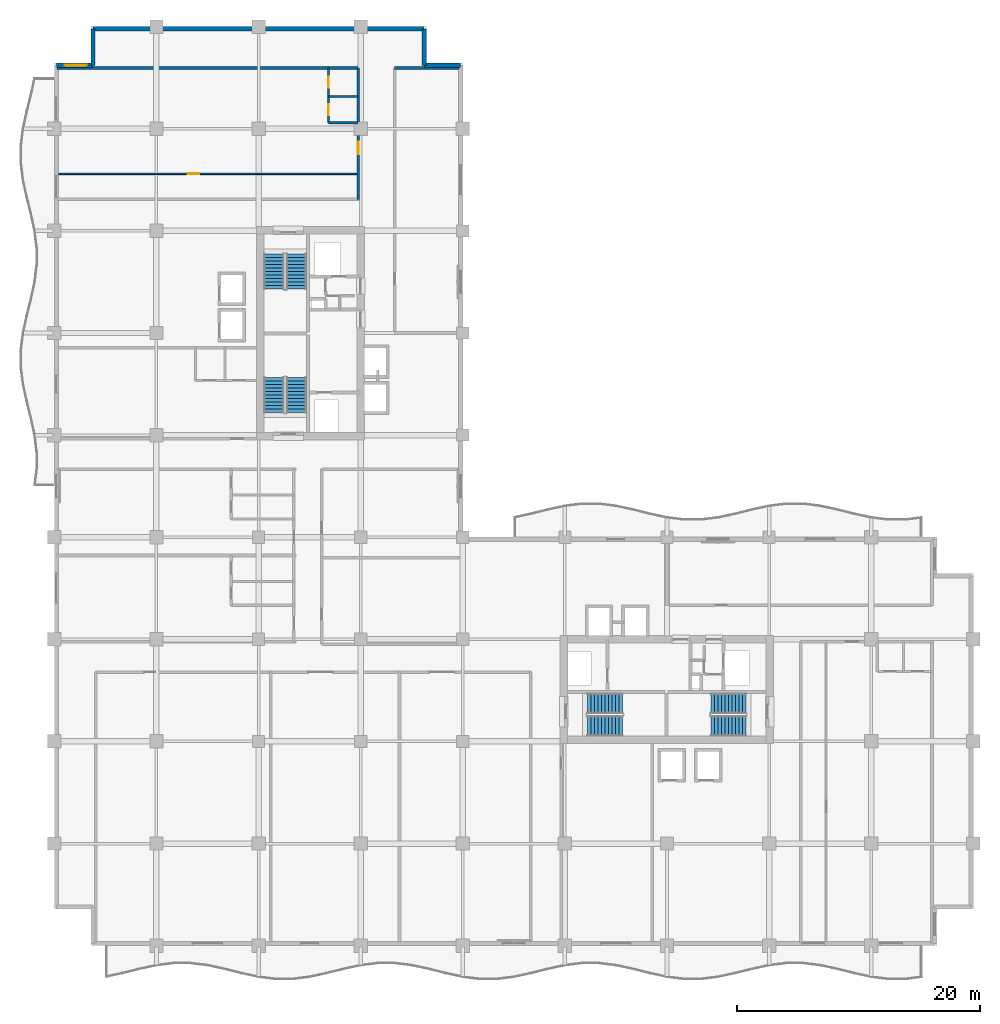
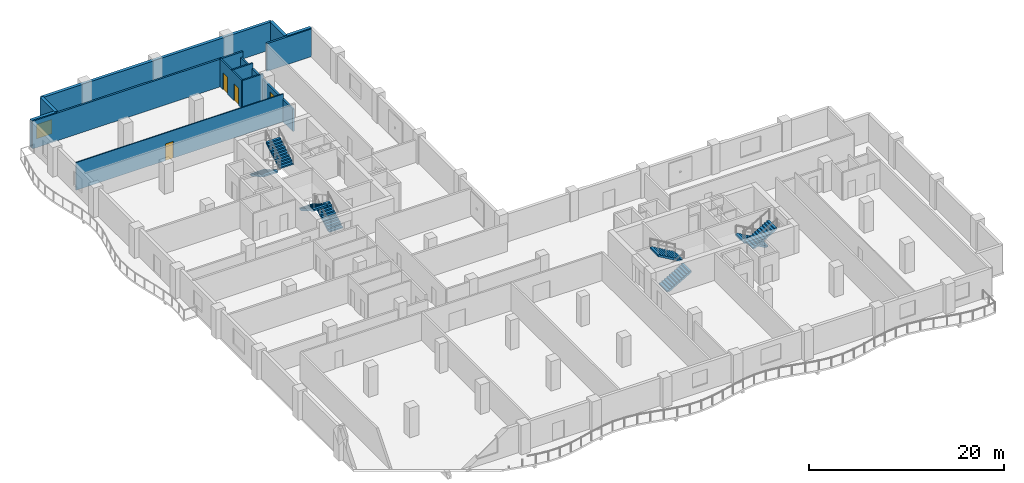
# One storey, part 9 of 15: 12 walls, 8 stair flights, 4 doors, 1 window, 5 openings, 4 elements without a shape of their own.
"""IFC4 building model written with IfcOpenShell, lengths in metres."""

from ifc_helpers import new_model, si_unit, direction, frame, frame_2d, origin, place, context, subcontext, project, spatial, polyline, rectangle, outline, extrude, material, layer, layer_set, type_object, element, fill, aggregate, save


model = new_model("IFC4")

# Units and contexts
model_context = context("Model", 3, precision=1e-05, world=origin(), true_north=direction((0.0, 1.0)))
body_context = subcontext(model_context, "Body", "Model", "MODEL_VIEW")
ifc_project = project(units=[si_unit("LENGTHUNIT", "METRE"), si_unit("AREAUNIT", "SQUARE_METRE"), si_unit("VOLUMEUNIT", "CUBIC_METRE"), si_unit("PLANEANGLEUNIT", "RADIAN"), si_unit("MASSUNIT", "GRAM", prefix="KILO")], contexts=[model_context])

# Site, building, storey
site_placement = place(None, origin())
site = spatial("IfcSite", under=ifc_project, at=site_placement, CompositionType="ELEMENT")
building_placement = place(site_placement, origin())
building = spatial("IfcBuilding", under=site, at=building_placement, Name="Koriwani Terraces Tower", CompositionType="ELEMENT")
storey_placement = place(building_placement, frame((0.0, 0.0, 216.10009765625)))
storey = spatial("IfcBuildingStorey", under=building, at=storey_placement, Name="L53", CompositionType="ELEMENT", Elevation=216.10009765625)

# Wall, opening, door
ifc_material_1 = material(Name="Autoclaved Cellular Concrete Blockwork", Category="masonry")
ifc_layer_1 = layer(ifc_material_1, 0.199951171875, Name="Autoclaved Cellular Concrete Blockwork")
ifc_layer_set_1 = layer_set([ifc_layer_1], Name="Autoclaved Cellular Concrete Blockwork")
wall_type_1 = type_object("IfcWallType", Name="WALL_CORRIDOR_200", PredefinedType="PARTITIONING", material=ifc_layer_set_1)
wall_1_placement = place(storey_placement, frame((25.0, 61.39990234375, 0.0), z_axis=(0.0, 0.0, 1.0), x_axis=(0.0, 1.0, 0.0)))
wall_1 = element("IfcWall", 1, at=wall_1_placement, inside=storey, type_object=wall_type_1, Name="L53 Interior Wall WRCOR-L53-NE-0", PredefinedType="PARTITIONING", context=body_context, shape_type="SweptSolid", body=[
    extrude(rectangle(XDim=10.800048828125, YDim=0.199951171875, at=frame_2d((5.39990234375, 0.0))), origin(), (0.0, 0.0, 1.0), 2.81982421875),
])
opening_1_placement = place(wall_1_placement, frame((3.719970703125, 0.0, 0.0)))
opening_1 = element("IfcOpeningElement", 2, at=opening_1_placement, cuts=wall_1, Name="Opening D-05", PredefinedType="OPENING", context=body_context, shape_type="SweptSolid", body=[
    extrude(rectangle(XDim=1.0, YDim=2.14990234375, at=frame_2d((0.5, 1.074951171875))), frame((0.0, 0.10986328125, 0.0), z_axis=(0.0, -1.0, 0.0), x_axis=(1.0, 0.0, 0.0)), (0.0, 0.0, 1.0), 0.219970703125),
])
ifc_material_2 = material(Name="Architectural Oak Fire Door", Category="wood")
door_type_1 = type_object("IfcDoorType", Name="DOOR_SUITE_ENTRY_1000X2150", OperationType="NOTDEFINED", PredefinedType="DOOR", material=ifc_material_2)
door_1_placement = place(opening_1_placement, origin())
door_1 = element("IfcDoor", 3, at=door_1_placement, inside=storey, type_object=door_type_1, Name="Apartment 53NE1 Entrance Door", OperationType="SINGLE_SWING_RIGHT", OverallHeight=2.14990234375, OverallWidth=1.0, PredefinedType="DOOR", context=body_context, shape_type="SweptSolid", body=[
    extrude(rectangle(XDim=1.0, YDim=2.14990234375, at=frame_2d((0.5, 1.074951171875))), frame((0.0, 0.02490234375, 0.0), z_axis=(0.0, -1.0, 0.0), x_axis=(1.0, 0.0, 0.0)), (0.0, 0.0, 1.0), 0.050048828125),
])
fill(opening_1, door_1)

# Walls
ifc_layer_2 = layer(ifc_material_1, 0.219970703125, Name="Autoclaved Cellular Concrete Blockwork")
ifc_layer_set_2 = layer_set([ifc_layer_2], Name="Autoclaved Cellular Concrete Blockwork")
wall_type_2 = type_object("IfcWallType", Name="WALL_DEMISING_220", PredefinedType="PARTITIONING", material=ifc_layer_set_2)
wall_2_placement = place(storey_placement, frame((0.199951171875, 72.199951171875, 0.0), z_axis=(0.0, 0.0, 1.0), x_axis=(1.0, 0.0, 0.0)))
element("IfcWall", 4, at=wall_2_placement, inside=storey, type_object=wall_type_2, Name="L53 Interior Wall WRDEME-L53-NE", PredefinedType="PARTITIONING", context=body_context, shape_type="SweptSolid", body=[
    extrude(rectangle(XDim=24.97998046875, YDim=0.219970703125, at=frame_2d((12.489990234375, 0.0))), origin(), (0.0, 0.0, 1.0), 3.469970703125),
])
wall_3_placement = place(storey_placement, frame((28.0, 72.199951171875, 0.0), z_axis=(0.0, 0.0, 1.0), x_axis=(1.0, 0.0, 0.0)))
element("IfcWall", 5, at=wall_3_placement, inside=storey, type_object=wall_type_2, Name="L53 Interior Wall WNEC-N-L53", PredefinedType="PARTITIONING", context=body_context, shape_type="SweptSolid", body=[
    extrude(rectangle(XDim=5.300048828125, YDim=0.219970703125, at=frame_2d((2.64990234375, 0.0))), origin(), (0.0, 0.0, 1.0), 3.469970703125),
])

# Wall, opening, window
ifc_material_3 = material(Name="Concrete C50/60", Category="concrete")
ifc_layer_3 = layer(ifc_material_3, 0.35009765625, Name="Concrete C50/60")
ifc_layer_set_3 = layer_set([ifc_layer_3], Name="Concrete C50/60")
wall_type_3 = type_object("IfcWallType", Name="WALL_EXT_BRUTALIST_350", PredefinedType="STANDARD", material=ifc_layer_set_3)
wall_4_placement = place(storey_placement, frame((0.175048828125, 72.425048828125, 0.0), z_axis=(0.0, 0.0, 1.0), x_axis=(1.0, 0.0, 0.0)))
wall_4 = element("IfcWall", 6, at=wall_4_placement, inside=storey, type_object=wall_type_3, Name="L53 Fair-Faced Brutalist Exterior Wall (N3)", PredefinedType="STANDARD", context=body_context, shape_type="SweptSolid", body=[
    extrude(rectangle(XDim=3.0, YDim=0.35009765625, at=frame_2d((1.5, 0.0))), origin(), (0.0, 0.0, 1.0), 3.469970703125),
])
opening_2_placement = place(wall_4_placement, frame((0.677490234375, 0.0, 0.85009765625)))
opening_2 = element("IfcOpeningElement", 7, at=opening_2_placement, cuts=wall_4, Name="Opening W-04", PredefinedType="OPENING", context=body_context, shape_type="SweptSolid", body=[
    extrude(rectangle(XDim=1.800048828125, YDim=1.800048828125, at=frame_2d((0.89990234375, 0.89990234375))), frame((0.0, 0.18505859375, 0.0), z_axis=(0.0, -1.0, 0.0), x_axis=(1.0, 0.0, 0.0)), (0.0, 0.0, 1.0), 0.3701171875),
])
ifc_material_4 = material(Name="Tempered Laminated Low-E Glass", Category="glass")
window_type = type_object("IfcWindowType", Name="WIN_RES_BED_1800X1800", PartitioningType="DOUBLE_PANEL_VERTICAL", PredefinedType="WINDOW", material=ifc_material_4)
window_placement = place(opening_2_placement, origin())
window = element("IfcWindow", 8, at=window_placement, inside=storey, type_object=window_type, Name="L53 Exterior Window (N3-R44)", OverallHeight=1.800048828125, OverallWidth=1.800048828125, PartitioningType="SINGLE_PANEL", PredefinedType="WINDOW", context=body_context, shape_type="SweptSolid", body=[
    extrude(rectangle(XDim=1.800048828125, YDim=1.800048828125, at=frame_2d((0.89990234375, 0.89990234375))), frame((0.0, 0.030029296875, 0.0), z_axis=(0.0, -1.0, 0.0), x_axis=(1.0, 0.0, 0.0)), (0.0, 0.0, 1.0), 0.06005859375),
])
fill(opening_2, window)

# Walls
wall_5_placement = place(storey_placement, frame((3.175048828125, 72.425048828125, 0.0), z_axis=(0.0, 0.0, 1.0), x_axis=(0.0, 1.0, 0.0)))
element("IfcWall", 9, at=wall_5_placement, inside=storey, type_object=wall_type_3, Name="L53 Fair-Faced Brutalist Exterior Wall (N4)", PredefinedType="STANDARD", context=body_context, shape_type="SweptSolid", body=[
    extrude(rectangle(XDim=3.0, YDim=0.35009765625, at=frame_2d((1.5, 0.0))), origin(), (0.0, 0.0, 1.0), 3.469970703125),
])
wall_6_placement = place(storey_placement, frame((3.175048828125, 75.425048828125, 0.0), z_axis=(0.0, 0.0, 1.0), x_axis=(1.0, 0.0, 0.0)))
element("IfcWall", 10, at=wall_6_placement, inside=storey, type_object=wall_type_3, Name="L53 Fair-Faced Brutalist Exterior Wall (N_TIP)", PredefinedType="STANDARD", context=body_context, shape_type="SweptSolid", body=[
    extrude(rectangle(XDim=27.25, YDim=0.35009765625, at=frame_2d((13.625, 0.0))), origin(), (0.0, 0.0, 1.0), 3.469970703125),
])
for number, where, z_axis, x_axis, name in (
    (11, (30.425048828125, 75.425048828125, 0.0), (0.0, 0.0, 1.0), (0.0, -1.0, 0.0), "L53 Fair-Faced Brutalist Exterior Wall (N6)"),
    (12, (30.425048828125, 72.425048828125, 0.0), (0.0, 0.0, 1.0), (1.0, 0.0, 0.0), "L53 Fair-Faced Brutalist Exterior Wall (N7)"),
):
    element("IfcWall", number, at=place(storey_placement, frame(where, z_axis=z_axis, x_axis=x_axis)), inside=storey, type_object=wall_type_3, Name=name, PredefinedType="STANDARD", context=body_context, shape_type="SweptSolid", body=[
        extrude(rectangle(XDim=3.0, YDim=0.35009765625, at=frame_2d((1.5, 0.0))), origin(), (0.0, 0.0, 1.0), 3.469970703125),
    ])

# Wall, opening, door
ifc_material_5 = material(Name="Fire-Rated Acoustic Gypsum Partition", Category="masonry")
ifc_layer_4 = layer(ifc_material_5, 0.125, Name="Fire-Rated Acoustic Gypsum Partition")
ifc_layer_set_4 = layer_set([ifc_layer_4], Name="Fire-Rated Acoustic Gypsum Partition")
wall_type_4 = type_object("IfcWallType", Name="WALL_INT_125", PredefinedType="PARTITIONING", material=ifc_layer_set_4)
wall_7_placement = place(storey_placement, frame((0.35009765625, 63.5, 0.0), z_axis=(0.0, 0.0, 1.0), x_axis=(1.0, 0.0, 0.0)))
wall_7 = element("IfcWall", 13, at=wall_7_placement, inside=storey, type_object=wall_type_4, Name="L53 Interior Wall WRBED1-L53-NE-0", PredefinedType="PARTITIONING", context=body_context, shape_type="SweptSolid", body=[
    extrude(rectangle(XDim=24.64990234375, YDim=0.125, at=frame_2d((12.324951171875, 0.0))), origin(), (0.0, 0.0, 1.0), 3.469970703125),
])
opening_3_placement = place(wall_7_placement, frame((10.639892578125, 0.0, 0.0)))
opening_3 = element("IfcOpeningElement", 14, at=opening_3_placement, cuts=wall_7, Name="Opening D-06", PredefinedType="OPENING", context=body_context, shape_type="SweptSolid", body=[
    extrude(rectangle(XDim=0.919921875, YDim=2.10009765625, at=frame_2d((0.4599609375, 1.050048828125))), frame((0.0, 0.072509765625, 0.0), z_axis=(0.0, -1.0, 0.0), x_axis=(1.0, 0.0, 0.0)), (0.0, 0.0, 1.0), 0.14501953125),
])
door_type_2 = type_object("IfcDoorType", Name="DOOR_ROOM_INT_920X2100", OperationType="NOTDEFINED", PredefinedType="DOOR", material=ifc_material_2)
door_2_placement = place(opening_3_placement, origin())
door_2 = element("IfcDoor", 15, at=door_2_placement, inside=storey, type_object=door_type_2, Name="Apartment 53NE1 Master Bedroom Door", OperationType="SINGLE_SWING_LEFT", OverallHeight=2.10009765625, OverallWidth=0.919921875, PredefinedType="DOOR", context=body_context, shape_type="SweptSolid", body=[
    extrude(rectangle(XDim=0.919921875, YDim=2.10009765625, at=frame_2d((0.4599609375, 1.050048828125))), frame((0.0, 0.02490234375, 0.0), z_axis=(0.0, -1.0, 0.0), x_axis=(1.0, 0.0, 0.0)), (0.0, 0.0, 1.0), 0.050048828125),
])
fill(opening_3, door_2)

# Wall, openings, doors
ifc_layer_5 = layer(ifc_material_5, 0.179931640625, Name="Fire-Rated Acoustic Gypsum Partition")
ifc_layer_set_5 = layer_set([ifc_layer_5], Name="Fire-Rated Acoustic Gypsum Partition")
wall_type_5 = type_object("IfcWallType", Name="WALL_PLUMBING_180", PredefinedType="PLUMBINGWALL", material=ifc_layer_set_5)
wall_8_placement = place(storey_placement, frame((22.550048828125, 67.699951171875, 0.0), z_axis=(0.0, 0.0, 1.0), x_axis=(0.0, 1.0, 0.0)))
wall_8 = element("IfcWall", 16, at=wall_8_placement, inside=storey, type_object=wall_type_5, Name="L53 Interior Wall WRSVC-L53-NE-0", PredefinedType="PLUMBINGWALL", context=body_context, shape_type="SweptSolid", body=[
    extrude(rectangle(XDim=4.5, YDim=0.179931640625, at=frame_2d((2.25, 0.0))), origin(), (0.0, 0.0, 1.0), 3.469970703125),
])
opening_4_placement = place(wall_8_placement, frame((0.6298828125, 0.0, 0.0)))
opening_4 = element("IfcOpeningElement", 17, at=opening_4_placement, cuts=wall_8, Name="Opening D-07", PredefinedType="OPENING", context=body_context, shape_type="SweptSolid", body=[
    extrude(rectangle(XDim=0.89990234375, YDim=2.10009765625, at=frame_2d((0.449951171875, 1.050048828125))), frame((0.0, 0.10009765625, 0.0), z_axis=(0.0, -1.0, 0.0), x_axis=(1.0, 0.0, 0.0)), (0.0, 0.0, 1.0), 0.199951171875),
])
opening_5_placement = place(wall_8_placement, frame((2.8701171875, 0.0, 0.0)))
opening_5 = element("IfcOpeningElement", 18, at=opening_5_placement, cuts=wall_8, Name="Opening D-06", PredefinedType="OPENING", context=body_context, shape_type="SweptSolid", body=[
    extrude(rectangle(XDim=0.919921875, YDim=2.10009765625, at=frame_2d((0.4599609375, 1.050048828125))), frame((0.0, 0.10009765625, 0.0), z_axis=(0.0, -1.0, 0.0), x_axis=(1.0, 0.0, 0.0)), (0.0, 0.0, 1.0), 0.199951171875),
])
door_type_3 = type_object("IfcDoorType", Name="DOOR_BATH_INT_900X2100", OperationType="NOTDEFINED", PredefinedType="DOOR", material=ifc_material_2)
door_3_placement = place(opening_4_placement, origin())
door_3 = element("IfcDoor", 19, at=door_3_placement, inside=storey, type_object=door_type_3, Name="Apartment 53NE1 Bathroom Door", OperationType="SINGLE_SWING_LEFT", OverallHeight=2.10009765625, OverallWidth=0.89990234375, PredefinedType="DOOR", context=body_context, shape_type="SweptSolid", body=[
    extrude(rectangle(XDim=0.89990234375, YDim=2.10009765625, at=frame_2d((0.449951171875, 1.050048828125))), frame((0.0, 0.02490234375, 0.0), z_axis=(0.0, -1.0, 0.0), x_axis=(1.0, 0.0, 0.0)), (0.0, 0.0, 1.0), 0.050048828125),
])
fill(opening_4, door_3)
door_4_placement = place(opening_5_placement, origin())
door_4 = element("IfcDoor", 20, at=door_4_placement, inside=storey, type_object=door_type_2, Name="Apartment 53NE1 Kitchen Door", OperationType="SINGLE_SWING_RIGHT", OverallHeight=2.10009765625, OverallWidth=0.919921875, PredefinedType="DOOR", context=body_context, shape_type="SweptSolid", body=[
    extrude(rectangle(XDim=0.919921875, YDim=2.10009765625, at=frame_2d((0.4599609375, 1.050048828125))), frame((0.0, 0.02490234375, 0.0), z_axis=(0.0, -1.0, 0.0), x_axis=(1.0, 0.0, 0.0)), (0.0, 0.0, 1.0), 0.050048828125),
])
fill(opening_5, door_4)

# Walls
for number, where, z_axis, x_axis, name in (
    (21, (22.550048828125, 67.699951171875, 0.0), (0.0, 0.0, 1.0), (1.0, 0.0, 0.0), "L53 Interior Wall WRSVCS-L53-NE-0"),
    (22, (22.550048828125, 69.860107421875, 0.0), (0.0, 0.0, 1.0), (1.0, 0.0, 0.0), "L53 Interior Wall WRSVCM-L53-NE-0"),
):
    element("IfcWall", number, at=place(storey_placement, frame(where, z_axis=z_axis, x_axis=x_axis)), inside=storey, type_object=wall_type_5, Name=name, PredefinedType="PLUMBINGWALL", context=body_context, shape_type="SweptSolid", body=[
        extrude(rectangle(XDim=2.449951171875, YDim=0.179931640625, at=frame_2d((1.22509765625, 0.0))), origin(), (0.0, 0.0, 1.0), 3.469970703125),
    ])

# Stair, stair flights
ifc_material_6 = material(Name="Concrete C40/50", Category="concrete")
stair_type = type_object("IfcStairType", Name="STAIR_CORE_DOGLEG_1650", PredefinedType="TWO_STRAIGHT_RUN_STAIR", material=ifc_material_6)
stair_1_placement = place(storey_placement, origin())
stair_1 = element("IfcStair", 23, at=stair_1_placement, inside=storey, type_object=stair_type, Name="L53 West Core Exit Stair 1", PredefinedType="HALF_TURN_STAIR")
stair_flight_type = type_object("IfcStairFlightType", Name="STAIR_FLIGHT_RC_1650", PredefinedType="STRAIGHT", material=ifc_material_6)
stair_flight_1_placement = place(storey_placement, frame((19.925048828125, 43.85009765625, 0.0), z_axis=(0.0, 0.0, 1.0), x_axis=(0.0, 1.0, 0.0)))
stair_flight_1 = element("IfcStairFlight", 24, at=stair_flight_1_placement, type_object=stair_flight_type, Name="ST-W1 flight 1", NumberOfRisers=11, NumberOfTreads=10, PredefinedType="STRAIGHT", RiserHeight=0.168181818, TreadLength=0.29, context=body_context, shape_type="SweptSolid", body=[
    extrude(outline(polyline([(0.0, 0.0), (0.0, 0.168212890625), (0.2900390625, 0.168212890625), (0.2900390625, 0.33642578125), (0.580078125, 0.33642578125), (0.580078125, 0.504638671875), (0.8701171875, 0.504638671875), (0.8701171875, 0.672607421875), (1.159912109375, 0.672607421875), (1.159912109375, 0.8408203125), (1.449951171875, 0.8408203125), (1.449951171875, 1.009033203125), (1.739990234375, 1.009033203125), (1.739990234375, 1.17724609375), (2.030029296875, 1.17724609375), (2.030029296875, 1.345458984375), (2.320068359375, 1.345458984375), (2.320068359375, 1.513671875), (2.610107421875, 1.513671875), (2.610107421875, 1.681884765625), (2.89990234375, 1.681884765625), (2.89990234375, 1.85009765625), (2.89990234375, 1.473876953125), (0.358642578125, 0.0), (0.0, 0.0)])), frame((0.0, 0.824951171875, 0.0), z_axis=(0.0, -1.0, 0.0), x_axis=(1.0, 0.0, 0.0)), (0.0, 0.0, 1.0), 1.64990234375),
])
stair_flight_2_placement = place(storey_placement, frame((18.074951171875, 46.75, 1.849853515625), z_axis=(0.0, 0.0, 1.0), x_axis=(0.0, -1.0, 0.0)))
stair_flight_2 = element("IfcStairFlight", 25, at=stair_flight_2_placement, type_object=stair_flight_type, Name="ST-W1 flight 2", NumberOfRisers=11, NumberOfTreads=10, PredefinedType="STRAIGHT", RiserHeight=0.168181818, TreadLength=0.29, context=body_context, shape_type="SweptSolid", body=[
    extrude(outline(polyline([(0.0, 0.0), (0.0, 0.168212890625), (0.2900390625, 0.168212890625), (0.2900390625, 0.33642578125), (0.580078125, 0.33642578125), (0.580078125, 0.504638671875), (0.8701171875, 0.504638671875), (0.8701171875, 0.672607421875), (1.159912109375, 0.672607421875), (1.159912109375, 0.8408203125), (1.449951171875, 0.8408203125), (1.449951171875, 1.009033203125), (1.739990234375, 1.009033203125), (1.739990234375, 1.17724609375), (2.030029296875, 1.17724609375), (2.030029296875, 1.345458984375), (2.320068359375, 1.345458984375), (2.320068359375, 1.513671875), (2.610107421875, 1.513671875), (2.610107421875, 1.681884765625), (2.89990234375, 1.681884765625), (2.89990234375, 1.85009765625), (2.89990234375, 1.473876953125), (0.358642578125, 0.0), (0.0, 0.0)])), frame((0.0, 0.824951171875, 0.0), z_axis=(0.0, -1.0, 0.0), x_axis=(1.0, 0.0, 0.0)), (0.0, 0.0, 1.0), 1.64990234375),
])
aggregate(stair_1, [stair_flight_1, stair_flight_2])

stair_2_placement = place(storey_placement, origin())
stair_2 = element("IfcStair", 26, at=stair_2_placement, inside=storey, type_object=stair_type, Name="L53 West Core Exit Stair 2", PredefinedType="HALF_TURN_STAIR")
stair_flight_3_placement = place(storey_placement, frame((18.074951171875, 56.89990234375, 0.0), z_axis=(0.0, 0.0, 1.0), x_axis=(0.0, -1.0, 0.0)))
stair_flight_3 = element("IfcStairFlight", 27, at=stair_flight_3_placement, type_object=stair_flight_type, Name="ST-W2 flight 1", NumberOfRisers=11, NumberOfTreads=10, PredefinedType="STRAIGHT", RiserHeight=0.168181818, TreadLength=0.29, context=body_context, shape_type="SweptSolid", body=[
    extrude(outline(polyline([(0.0, 0.0), (0.0, 0.168212890625), (0.2900390625, 0.168212890625), (0.2900390625, 0.33642578125), (0.580078125, 0.33642578125), (0.580078125, 0.504638671875), (0.8701171875, 0.504638671875), (0.8701171875, 0.672607421875), (1.159912109375, 0.672607421875), (1.159912109375, 0.8408203125), (1.449951171875, 0.8408203125), (1.449951171875, 1.009033203125), (1.739990234375, 1.009033203125), (1.739990234375, 1.17724609375), (2.030029296875, 1.17724609375), (2.030029296875, 1.345458984375), (2.320068359375, 1.345458984375), (2.320068359375, 1.513671875), (2.610107421875, 1.513671875), (2.610107421875, 1.681884765625), (2.89990234375, 1.681884765625), (2.89990234375, 1.85009765625), (2.89990234375, 1.473876953125), (0.358642578125, 0.0), (0.0, 0.0)])), frame((0.0, 0.824951171875, 0.0), z_axis=(0.0, -1.0, 0.0), x_axis=(1.0, 0.0, 0.0)), (0.0, 0.0, 1.0), 1.64990234375),
])
stair_flight_4_placement = place(storey_placement, frame((19.925048828125, 54.0, 1.849853515625), z_axis=(0.0, 0.0, 1.0), x_axis=(0.0, 1.0, 0.0)))
stair_flight_4 = element("IfcStairFlight", 28, at=stair_flight_4_placement, type_object=stair_flight_type, Name="ST-W2 flight 2", NumberOfRisers=11, NumberOfTreads=10, PredefinedType="STRAIGHT", RiserHeight=0.168181818, TreadLength=0.29, context=body_context, shape_type="SweptSolid", body=[
    extrude(outline(polyline([(0.0, 0.0), (0.0, 0.168212890625), (0.2900390625, 0.168212890625), (0.2900390625, 0.33642578125), (0.580078125, 0.33642578125), (0.580078125, 0.504638671875), (0.8701171875, 0.504638671875), (0.8701171875, 0.672607421875), (1.159912109375, 0.672607421875), (1.159912109375, 0.8408203125), (1.449951171875, 0.8408203125), (1.449951171875, 1.009033203125), (1.739990234375, 1.009033203125), (1.739990234375, 1.17724609375), (2.030029296875, 1.17724609375), (2.030029296875, 1.345458984375), (2.320068359375, 1.345458984375), (2.320068359375, 1.513671875), (2.610107421875, 1.513671875), (2.610107421875, 1.681884765625), (2.89990234375, 1.681884765625), (2.89990234375, 1.85009765625), (2.89990234375, 1.473876953125), (0.358642578125, 0.0), (0.0, 0.0)])), frame((0.0, 0.824951171875, 0.0), z_axis=(0.0, -1.0, 0.0), x_axis=(1.0, 0.0, 0.0)), (0.0, 0.0, 1.0), 1.64990234375),
])
aggregate(stair_2, [stair_flight_3, stair_flight_4])

stair_3_placement = place(storey_placement, origin())
stair_3 = element("IfcStair", 29, at=stair_3_placement, inside=storey, type_object=stair_type, Name="L53 East Core Exit Stair 1", PredefinedType="HALF_TURN_STAIR")
stair_flight_5_placement = place(storey_placement, frame((43.85009765625, 18.074951171875, 0.0), z_axis=(0.0, 0.0, 1.0), x_axis=(1.0, 0.0, 0.0)))
stair_flight_5 = element("IfcStairFlight", 30, at=stair_flight_5_placement, type_object=stair_flight_type, Name="ST-E1 flight 1", NumberOfRisers=11, NumberOfTreads=10, PredefinedType="STRAIGHT", RiserHeight=0.168181818, TreadLength=0.29, context=body_context, shape_type="SweptSolid", body=[
    extrude(outline(polyline([(0.0, 0.0), (0.0, 0.168212890625), (0.2900390625, 0.168212890625), (0.2900390625, 0.33642578125), (0.580078125, 0.33642578125), (0.580078125, 0.504638671875), (0.8701171875, 0.504638671875), (0.8701171875, 0.672607421875), (1.159912109375, 0.672607421875), (1.159912109375, 0.8408203125), (1.449951171875, 0.8408203125), (1.449951171875, 1.009033203125), (1.739990234375, 1.009033203125), (1.739990234375, 1.17724609375), (2.030029296875, 1.17724609375), (2.030029296875, 1.345458984375), (2.320068359375, 1.345458984375), (2.320068359375, 1.513671875), (2.610107421875, 1.513671875), (2.610107421875, 1.681884765625), (2.89990234375, 1.681884765625), (2.89990234375, 1.85009765625), (2.89990234375, 1.473876953125), (0.358642578125, 0.0), (0.0, 0.0)])), frame((0.0, 0.824951171875, 0.0), z_axis=(0.0, -1.0, 0.0), x_axis=(1.0, 0.0, 0.0)), (0.0, 0.0, 1.0), 1.64990234375),
])
stair_flight_6_placement = place(storey_placement, frame((46.75, 19.925048828125, 1.849853515625), z_axis=(0.0, 0.0, 1.0), x_axis=(-1.0, 0.0, 0.0)))
stair_flight_6 = element("IfcStairFlight", 31, at=stair_flight_6_placement, type_object=stair_flight_type, Name="ST-E1 flight 2", NumberOfRisers=11, NumberOfTreads=10, PredefinedType="STRAIGHT", RiserHeight=0.168181818, TreadLength=0.29, context=body_context, shape_type="SweptSolid", body=[
    extrude(outline(polyline([(0.0, 0.0), (0.0, 0.168212890625), (0.2900390625, 0.168212890625), (0.2900390625, 0.33642578125), (0.580078125, 0.33642578125), (0.580078125, 0.504638671875), (0.8701171875, 0.504638671875), (0.8701171875, 0.672607421875), (1.159912109375, 0.672607421875), (1.159912109375, 0.8408203125), (1.449951171875, 0.8408203125), (1.449951171875, 1.009033203125), (1.739990234375, 1.009033203125), (1.739990234375, 1.17724609375), (2.030029296875, 1.17724609375), (2.030029296875, 1.345458984375), (2.320068359375, 1.345458984375), (2.320068359375, 1.513671875), (2.610107421875, 1.513671875), (2.610107421875, 1.681884765625), (2.89990234375, 1.681884765625), (2.89990234375, 1.85009765625), (2.89990234375, 1.473876953125), (0.358642578125, 0.0), (0.0, 0.0)])), frame((0.0, 0.824951171875, 0.0), z_axis=(0.0, -1.0, 0.0), x_axis=(1.0, 0.0, 0.0)), (0.0, 0.0, 1.0), 1.64990234375),
])
aggregate(stair_3, [stair_flight_5, stair_flight_6])

stair_4_placement = place(storey_placement, origin())
stair_4 = element("IfcStair", 32, at=stair_4_placement, inside=storey, type_object=stair_type, Name="L53 East Core Exit Stair 2", PredefinedType="HALF_TURN_STAIR")
stair_flight_7_placement = place(storey_placement, frame((56.89990234375, 19.925048828125, 0.0), z_axis=(0.0, 0.0, 1.0), x_axis=(-1.0, 0.0, 0.0)))
stair_flight_7 = element("IfcStairFlight", 33, at=stair_flight_7_placement, type_object=stair_flight_type, Name="ST-E2 flight 1", NumberOfRisers=11, NumberOfTreads=10, PredefinedType="STRAIGHT", RiserHeight=0.168181818, TreadLength=0.29, context=body_context, shape_type="SweptSolid", body=[
    extrude(outline(polyline([(0.0, 0.0), (0.0, 0.168212890625), (0.2900390625, 0.168212890625), (0.2900390625, 0.33642578125), (0.580078125, 0.33642578125), (0.580078125, 0.504638671875), (0.8701171875, 0.504638671875), (0.8701171875, 0.672607421875), (1.159912109375, 0.672607421875), (1.159912109375, 0.8408203125), (1.449951171875, 0.8408203125), (1.449951171875, 1.009033203125), (1.739990234375, 1.009033203125), (1.739990234375, 1.17724609375), (2.030029296875, 1.17724609375), (2.030029296875, 1.345458984375), (2.320068359375, 1.345458984375), (2.320068359375, 1.513671875), (2.610107421875, 1.513671875), (2.610107421875, 1.681884765625), (2.89990234375, 1.681884765625), (2.89990234375, 1.85009765625), (2.89990234375, 1.473876953125), (0.358642578125, 0.0), (0.0, 0.0)])), frame((0.0, 0.824951171875, 0.0), z_axis=(0.0, -1.0, 0.0), x_axis=(1.0, 0.0, 0.0)), (0.0, 0.0, 1.0), 1.64990234375),
])
stair_flight_8_placement = place(storey_placement, frame((54.0, 18.074951171875, 1.849853515625), z_axis=(0.0, 0.0, 1.0), x_axis=(1.0, 0.0, 0.0)))
stair_flight_8 = element("IfcStairFlight", 34, at=stair_flight_8_placement, type_object=stair_flight_type, Name="ST-E2 flight 2", NumberOfRisers=11, NumberOfTreads=10, PredefinedType="STRAIGHT", RiserHeight=0.168181818, TreadLength=0.29, context=body_context, shape_type="SweptSolid", body=[
    extrude(outline(polyline([(0.0, 0.0), (0.0, 0.168212890625), (0.2900390625, 0.168212890625), (0.2900390625, 0.33642578125), (0.580078125, 0.33642578125), (0.580078125, 0.504638671875), (0.8701171875, 0.504638671875), (0.8701171875, 0.672607421875), (1.159912109375, 0.672607421875), (1.159912109375, 0.8408203125), (1.449951171875, 0.8408203125), (1.449951171875, 1.009033203125), (1.739990234375, 1.009033203125), (1.739990234375, 1.17724609375), (2.030029296875, 1.17724609375), (2.030029296875, 1.345458984375), (2.320068359375, 1.345458984375), (2.320068359375, 1.513671875), (2.610107421875, 1.513671875), (2.610107421875, 1.681884765625), (2.89990234375, 1.681884765625), (2.89990234375, 1.85009765625), (2.89990234375, 1.473876953125), (0.358642578125, 0.0), (0.0, 0.0)])), frame((0.0, 0.824951171875, 0.0), z_axis=(0.0, -1.0, 0.0), x_axis=(1.0, 0.0, 0.0)), (0.0, 0.0, 1.0), 1.64990234375),
])
aggregate(stair_4, [stair_flight_7, stair_flight_8])

save(model, "model.ifc")
